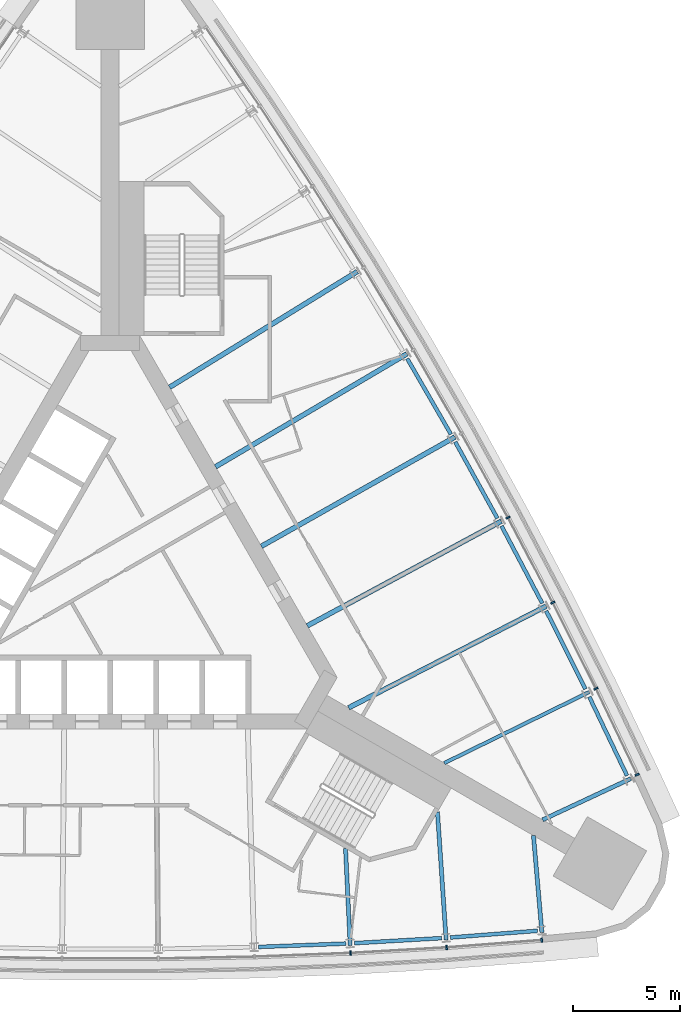
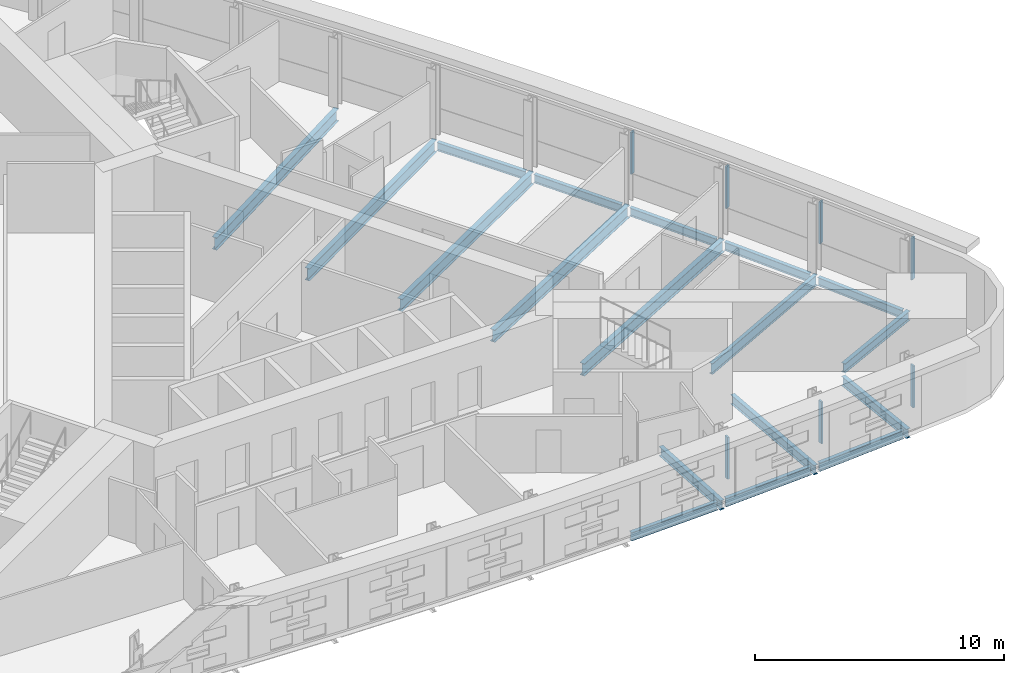
# One storey, part 5 of 14: 18 beams, 7 members, 2 elements without a shape of their own.
"""IFC4 building model written with IfcOpenShell, lengths in metres."""

from ifc_helpers import new_model, si_unit, direction, frame, origin, origin_2d, place, context, subcontext, project, spatial, rectangle, i_section, extrude, material, material_profile, profile_set, type_object, element, aggregate, save


model = new_model("IFC4")

# Units and contexts
model_context = context("Model", 3, precision=1e-05, world=origin(), true_north=direction((0.0, 1.0)))
body_context = subcontext(model_context, "Body", "Model", "MODEL_VIEW")
ifc_project = project(units=[si_unit("LENGTHUNIT", "METRE"), si_unit("AREAUNIT", "SQUARE_METRE"), si_unit("VOLUMEUNIT", "CUBIC_METRE"), si_unit("PLANEANGLEUNIT", "RADIAN"), si_unit("MASSUNIT", "GRAM", prefix="KILO")], contexts=[model_context])

# Site, building, storey
site_placement = place(None, origin())
site = spatial("IfcSite", under=ifc_project, at=site_placement, CompositionType="ELEMENT")
building_placement = place(site_placement, origin())
building = spatial("IfcBuilding", under=site, at=building_placement, Name="Noor Cloister Tower", CompositionType="ELEMENT")
storey_placement = place(building_placement, frame((0.0, 0.0, 76.199951171875)))
storey = spatial("IfcBuildingStorey", under=building, at=storey_placement, Name="L19", CompositionType="ELEMENT", Elevation=76.199951171875)

# Curtain wall, members
ifc_material_1 = material(Name="Aluminium 6063-T6 anodised", Category="aluminium")
curtain_wall_type = type_object("IfcCurtainWallType", Name="Ribbon curtain wall, lower tower CW1", PredefinedType="NOTDEFINED", material=ifc_material_1)
curtain_wall_1_placement = place(storey_placement, origin())
curtain_wall_1 = element("IfcCurtainWall", 1, at=curtain_wall_1_placement, inside=storey, type_object=curtain_wall_type, Name="CW1 L19 S run 2", PredefinedType="NOTDEFINED")
ifc_material_2 = material(Name="Aluminium 6063-T6 anodised", Category="aluminium")
ifc_material_profile_1 = material_profile(ifc_material_2, rectangle(XDim=0.199951171875, YDim=0.080078125, at=origin_2d()), Name="200 x 80 mullion")
ifc_profile_set_1 = profile_set([ifc_material_profile_1], Name="Aluminium 6063-T6 anodised")
member_type = type_object("IfcMemberType", Name="Mullion CW1 80 x 200", PredefinedType="MULLION", material=ifc_profile_set_1)
member_1_placement = place(storey_placement, frame((11.24072265625, -17.407958984375, 1.10009765625), z_axis=(0.0, 0.0, 1.0), x_axis=(-0.048212063221, 0.998837122338, 0.0)))
member_1 = element("IfcMember", 2, at=member_1_placement, type_object=member_type, Name="CW1 mullion 8", PredefinedType="MULLION", context=body_context, shape_type="SweptSolid", body=[
    extrude(rectangle(XDim=0.199951171875, YDim=0.080078125, at=origin_2d()), origin(), (0.0, 0.0, 1.0), 2.050048828125),
])
member_2_placement = place(storey_placement, frame((15.731201171875, -17.14794921875, 1.10009765625), z_axis=(0.0, 0.0, 1.0), x_axis=(-0.067471755101, 0.997721184632, 0.0)))
member_2 = element("IfcMember", 3, at=member_2_placement, type_object=member_type, Name="CW1 mullion 9", PredefinedType="MULLION", context=body_context, shape_type="SweptSolid", body=[
    extrude(rectangle(XDim=0.199951171875, YDim=0.080078125, at=origin_2d()), origin(), (0.0, 0.0, 1.0), 2.050048828125),
])
member_3_placement = place(storey_placement, frame((20.177001953125, -16.80419921875, 1.10009765625), z_axis=(0.0, 0.0, 1.0), x_axis=(-0.077092640523, 0.997023933904, 0.0)))
member_3 = element("IfcMember", 4, at=member_3_placement, type_object=member_type, Name="CW1 mullion 10", PredefinedType="MULLION", context=body_context, shape_type="SweptSolid", body=[
    extrude(rectangle(XDim=0.199951171875, YDim=0.080078125, at=origin_2d()), origin(), (0.0, 0.0, 1.0), 2.050048828125),
])
aggregate(curtain_wall_1, [member_1, member_2, member_3])

curtain_wall_2_placement = place(storey_placement, origin())
curtain_wall_2 = element("IfcCurtainWall", 5, at=curtain_wall_2_placement, inside=storey, type_object=curtain_wall_type, Name="CW1 L19 NE run 3", PredefinedType="NOTDEFINED")
member_4_placement = place(storey_placement, frame((24.641357421875, -9.07177734375, 1.10009765625), z_axis=(0.0, 0.0, 1.0), x_axis=(-0.901994375203, -0.431747781814, 0.0)))
member_4 = element("IfcMember", 6, at=member_4_placement, type_object=member_type, Name="CW1 mullion 1", PredefinedType="MULLION", context=body_context, shape_type="SweptSolid", body=[
    extrude(rectangle(XDim=0.199951171875, YDim=0.080078125, at=origin_2d()), origin(), (0.0, 0.0, 1.0), 2.050048828125),
])
member_5_placement = place(storey_placement, frame((22.716064453125, -5.0498046875, 1.10009765625), z_axis=(0.0, 0.0, 1.0), x_axis=(-0.897787769336, -0.440428338361, 0.0)))
member_5 = element("IfcMember", 7, at=member_5_placement, type_object=member_type, Name="CW1 mullion 2", PredefinedType="MULLION", context=body_context, shape_type="SweptSolid", body=[
    extrude(rectangle(XDim=0.199951171875, YDim=0.080078125, at=origin_2d()), origin(), (0.0, 0.0, 1.0), 2.050048828125),
])
member_6_placement = place(storey_placement, frame((20.6962890625, -1.03076171875, 1.10009765625), z_axis=(0.0, 0.0, 1.0), x_axis=(-0.889124353798, -0.45766568965, 0.0)))
member_6 = element("IfcMember", 8, at=member_6_placement, type_object=member_type, Name="CW1 mullion 3", PredefinedType="MULLION", context=body_context, shape_type="SweptSolid", body=[
    extrude(rectangle(XDim=0.199951171875, YDim=0.080078125, at=origin_2d()), origin(), (0.0, 0.0, 1.0), 2.050048828125),
])
member_7_placement = place(storey_placement, frame((18.59912109375, 2.948486328125, 1.10009765625), z_axis=(0.0, 0.0, 1.0), x_axis=(-0.880130014741, -0.474732721805, 0.0)))
member_7 = element("IfcMember", 9, at=member_7_placement, type_object=member_type, Name="CW1 mullion 4", PredefinedType="MULLION", context=body_context, shape_type="SweptSolid", body=[
    extrude(rectangle(XDim=0.199951171875, YDim=0.080078125, at=origin_2d()), origin(), (0.0, 0.0, 1.0), 2.050048828125),
])
aggregate(curtain_wall_2, [member_4, member_5, member_6, member_7])

# Beams
ifc_material_3 = material(Name="Steel ASTM A992 Gr 50", Category="steel")
ifc_material_profile_2 = material_profile(ifc_material_3, i_section(OverallWidth=0.19091796875, OverallDepth=0.45703125, WebThickness=0.009033203125, FlangeThickness=0.014404296875, FilletRadius=0.01025390625, at=origin_2d()), Name="W460x74")
ifc_profile_set_2 = profile_set([ifc_material_profile_2], Name="Steel ASTM A992 Gr 50")
beam_type_1 = type_object("IfcBeamType", Name="Radial beam W460x74", PredefinedType="BEAM", material=ifc_profile_set_2)
beam_1_placement = place(storey_placement, frame((11.223876953125, -17.055419921875, -0.428466796875), z_axis=(-0.048225987002, 0.998836450165, 0.0), x_axis=(-0.998836450165, -0.048225987002, 0.0)))
element("IfcBeam", 10, at=beam_1_placement, inside=storey, type_object=beam_type_1, Name="Radial beam S 08 L19", PredefinedType="BEAM", context=body_context, shape_type="SweptSolid", body=[
    extrude(i_section(OverallWidth=0.19091796875, OverallDepth=0.45703125, WebThickness=0.009033203125, FlangeThickness=0.014404296875, FilletRadius=0.01025390625, at=origin_2d()), origin(), (0.0, 0.0, 1.0), 4.546142578125),
])
beam_2_placement = place(storey_placement, frame((15.70751953125, -16.795654296875, -0.428466796875), z_axis=(-0.067491020736, 0.99771988159, 0.0), x_axis=(-0.99771988159, -0.067491020736, 0.0)))
element("IfcBeam", 11, at=beam_2_placement, inside=storey, type_object=beam_type_1, Name="Radial beam S 09 L19", PredefinedType="BEAM", context=body_context, shape_type="SweptSolid", body=[
    extrude(i_section(OverallWidth=0.19091796875, OverallDepth=0.45703125, WebThickness=0.009033203125, FlangeThickness=0.014404296875, FilletRadius=0.01025390625, at=origin_2d()), origin(), (0.0, 0.0, 1.0), 6.001220703125),
])
for number, where, z_axis, x_axis, name in (
    (12, (20.185302734375, -16.449462890625, -0.428466796875), (-0.08671760944, 0.996232932709, 0.0), (-0.996232932709, -0.08671760944, 0.0), "Radial beam S 10 L19"),
    (13, (24.33837890625, -9.25634765625, -0.428466796875), (-0.906124182133, -0.423011780632, 0.0), (0.423011780632, -0.906124182133, 0.0), "Radial beam NE 01 L19"),
):
    element("IfcBeam", number, at=place(storey_placement, frame(where, z_axis=z_axis, x_axis=x_axis)), inside=storey, type_object=beam_type_1, Name=name, PredefinedType="BEAM", context=body_context, shape_type="SweptSolid", body=[
        extrude(i_section(OverallWidth=0.19091796875, OverallDepth=0.45703125, WebThickness=0.009033203125, FlangeThickness=0.014404296875, FilletRadius=0.01025390625, at=origin_2d()), origin(), (0.0, 0.0, 1.0), 4.549560546875),
    ])
ifc_material_4 = material(Name="Steel ASTM A992 Gr 50", Category="steel")
ifc_material_profile_3 = material_profile(ifc_material_4, i_section(OverallWidth=0.166015625, OverallDepth=0.528076171875, WebThickness=0.009765625, FlangeThickness=0.013671875, FilletRadius=0.0126953125, at=origin_2d()), Name="W530x74")
ifc_profile_set_3 = profile_set([ifc_material_profile_3], Name="Steel ASTM A992 Gr 50")
beam_type_2 = type_object("IfcBeamType", Name="Radial beam W530x74", PredefinedType="BEAM", material=ifc_profile_set_3)
beam_3_placement = place(storey_placement, frame((22.399169921875, -5.205322265625, -0.4638671875), z_axis=(-0.897791582148, -0.440420566078, 0.0), x_axis=(0.440420566078, -0.897791582148, 0.0)))
element("IfcBeam", 14, at=beam_3_placement, inside=storey, type_object=beam_type_2, Name="Radial beam NE 02 L19", PredefinedType="BEAM", context=body_context, shape_type="SweptSolid", body=[
    extrude(i_section(OverallWidth=0.166015625, OverallDepth=0.528076171875, WebThickness=0.009765625, FlangeThickness=0.013671875, FilletRadius=0.0126953125, at=origin_2d()), origin(), (0.0, 0.0, 1.0), 7.54736328125),
])
ifc_material_5 = material(Name="Steel ASTM A992 Gr 50", Category="steel")
ifc_material_profile_4 = material_profile(ifc_material_5, i_section(OverallWidth=0.22802734375, OverallDepth=0.60205078125, WebThickness=0.010498046875, FlangeThickness=0.014892578125, FilletRadius=0.0126953125, at=origin_2d()), Name="W610x101")
ifc_profile_set_4 = profile_set([ifc_material_profile_4], Name="Steel ASTM A992 Gr 50")
beam_type_3 = type_object("IfcBeamType", Name="Radial beam W610x101", PredefinedType="BEAM", material=ifc_profile_set_4)
beam_4_placement = place(storey_placement, frame((20.38232421875, -1.1923828125, -0.5009765625), z_axis=(-0.889123572031, -0.457667208415, 0.0), x_axis=(0.457667208415, -0.889123572031, 0.0)))
element("IfcBeam", 15, at=beam_4_placement, inside=storey, type_object=beam_type_3, Name="Radial beam NE 03 L19", PredefinedType="BEAM", context=body_context, shape_type="SweptSolid", body=[
    extrude(i_section(OverallWidth=0.22802734375, OverallDepth=0.60205078125, WebThickness=0.010498046875, FlangeThickness=0.014892578125, FilletRadius=0.0126953125, at=origin_2d()), origin(), (0.0, 0.0, 1.0), 10.3857421875),
])
beam_5_placement = place(storey_placement, frame((18.28857421875, 2.78076171875, -0.5009765625), z_axis=(-0.880137671606, -0.474718526097, 0.0), x_axis=(0.474718526097, -0.880137671606, 0.0)))
element("IfcBeam", 16, at=beam_5_placement, inside=storey, type_object=beam_type_3, Name="Radial beam NE 04 L19", PredefinedType="BEAM", context=body_context, shape_type="SweptSolid", body=[
    extrude(i_section(OverallWidth=0.22802734375, OverallDepth=0.60205078125, WebThickness=0.010498046875, FlangeThickness=0.014892578125, FilletRadius=0.0126953125, at=origin_2d()), origin(), (0.0, 0.0, 1.0), 10.3046875),
])
beam_6_placement = place(storey_placement, frame((16.118408203125, 6.712890625, -0.5009765625), z_axis=(-0.870813111401, -0.491614203427, 0.0), x_axis=(0.491614203427, -0.870813111401, 0.0)))
element("IfcBeam", 17, at=beam_6_placement, inside=storey, type_object=beam_type_3, Name="Radial beam NE 05 L19", PredefinedType="BEAM", context=body_context, shape_type="SweptSolid", body=[
    extrude(i_section(OverallWidth=0.22802734375, OverallDepth=0.60205078125, WebThickness=0.010498046875, FlangeThickness=0.014892578125, FilletRadius=0.0126953125, at=origin_2d()), origin(), (0.0, 0.0, 1.0), 10.3876953125),
])
beam_7_placement = place(storey_placement, frame((13.872802734375, 10.6025390625, -0.5009765625), z_axis=(-0.861158045586, -0.508337309789, 0.0), x_axis=(0.508337309789, -0.861158045586, 0.0)))
element("IfcBeam", 18, at=beam_7_placement, inside=storey, type_object=beam_type_3, Name="Radial beam NE 06 L19", PredefinedType="BEAM", context=body_context, shape_type="SweptSolid", body=[
    extrude(i_section(OverallWidth=0.22802734375, OverallDepth=0.60205078125, WebThickness=0.010498046875, FlangeThickness=0.014892578125, FilletRadius=0.0126953125, at=origin_2d()), origin(), (0.0, 0.0, 1.0), 10.387939453125),
])
beam_8_placement = place(storey_placement, frame((11.552490234375, 14.44775390625, -0.5009765625), z_axis=(-0.851198388975, -0.524844074565, 0.0), x_axis=(0.524844074565, -0.851198388975, 0.0)))
element("IfcBeam", 19, at=beam_8_placement, inside=storey, type_object=beam_type_3, Name="Radial beam NE 07 L19", PredefinedType="BEAM", context=body_context, shape_type="SweptSolid", body=[
    extrude(i_section(OverallWidth=0.22802734375, OverallDepth=0.60205078125, WebThickness=0.010498046875, FlangeThickness=0.014892578125, FilletRadius=0.0126953125, at=origin_2d()), origin(), (0.0, 0.0, 1.0), 10.304931640625),
])
ifc_material_6 = material(Name="Steel ASTM A992 Gr 50", Category="steel")
ifc_material_profile_5 = material_profile(ifc_material_6, i_section(OverallWidth=0.177978515625, OverallDepth=0.406005859375, WebThickness=0.0078125, FlangeThickness=0.0126953125, FilletRadius=0.01025390625, at=origin_2d()), Name="W410x60")
ifc_profile_set_5 = profile_set([ifc_material_profile_5], Name="Steel ASTM A992 Gr 50")
beam_type_4 = type_object("IfcBeamType", Name="Spandrel beam W410x60", PredefinedType="SPANDREL", material=ifc_profile_set_5)
for number, where, z_axis, x_axis, name in (
    (20, (6.93505859375, -17.1240234375, -0.40283203125), (0.999254539372, 0.038605252822, 0.0), (-0.038605252822, 0.999254539372, 0.0), "Spandrel beam S 07 L19"),
    (21, (11.4208984375, -16.94677734375, -0.40283203125), (0.998328754654, 0.057790117076, 0.0), (-0.057790117076, 0.998328754654, 0.0), "Spandrel beam S 08 L19"),
):
    element("IfcBeam", number, at=place(storey_placement, frame(where, z_axis=z_axis, x_axis=x_axis)), inside=storey, type_object=beam_type_4, Name=name, PredefinedType="SPANDREL", context=body_context, shape_type="SweptSolid", body=[
        extrude(i_section(OverallWidth=0.177978515625, OverallDepth=0.406005859375, WebThickness=0.0078125, FlangeThickness=0.0126953125, FilletRadius=0.01025390625, at=origin_2d()), origin(), (0.0, 0.0, 1.0), 4.085205078125),
    ])
beam_9_placement = place(storey_placement, frame((15.90234375, -16.683349609375, -0.40283203125), z_axis=(0.997024176871, 0.077089498212, 0.0), x_axis=(-0.077089498212, 0.997024176871, 0.0)))
element("IfcBeam", 22, at=beam_9_placement, inside=storey, type_object=beam_type_4, Name="Spandrel beam S 09 L19", PredefinedType="SPANDREL", context=body_context, shape_type="SweptSolid", body=[
    extrude(i_section(OverallWidth=0.177978515625, OverallDepth=0.406005859375, WebThickness=0.0078125, FlangeThickness=0.0126953125, FilletRadius=0.01025390625, at=origin_2d()), origin(), (0.0, 0.0, 1.0), 4.08544921875),
])
for number, where, z_axis, x_axis, name in (
    (23, (24.1630859375, -9.114990234375, -0.40283203125), (-0.431728272915, 0.902003713055, 0.0), (-0.902003713055, -0.431728272915, 0.0), "Spandrel beam NE 01 L19"),
    (24, (22.221435546875, -5.0673828125, -0.40283203125), (-0.449101034205, 0.893480979694, 0.0), (-0.893480979694, -0.449101034205, 0.0), "Spandrel beam NE 02 L19"),
):
    element("IfcBeam", number, at=place(storey_placement, frame(where, z_axis=z_axis, x_axis=x_axis)), inside=storey, type_object=beam_type_4, Name=name, PredefinedType="SPANDREL", context=body_context, shape_type="SweptSolid", body=[
        extrude(i_section(OverallWidth=0.177978515625, OverallDepth=0.406005859375, WebThickness=0.0078125, FlangeThickness=0.0126953125, FilletRadius=0.01025390625, at=origin_2d()), origin(), (0.0, 0.0, 1.0), 4.085205078125),
    ])
beam_10_placement = place(storey_placement, frame((20.201904296875, -1.05810546875, -0.40283203125), z_axis=(-0.466187250384, 0.884686072898, 0.0), x_axis=(-0.884686072898, -0.466187250384, 0.0)))
element("IfcBeam", 25, at=beam_10_placement, inside=storey, type_object=beam_type_4, Name="Spandrel beam NE 03 L19", PredefinedType="SPANDREL", context=body_context, shape_type="SweptSolid", body=[
    extrude(i_section(OverallWidth=0.177978515625, OverallDepth=0.406005859375, WebThickness=0.0078125, FlangeThickness=0.0126953125, FilletRadius=0.01025390625, at=origin_2d()), origin(), (0.0, 0.0, 1.0), 4.08544921875),
])
beam_11_placement = place(storey_placement, frame((18.10546875, 2.91162109375, -0.40283203125), z_axis=(-0.483180030896, 0.875521020732, 0.0), x_axis=(-0.875521020732, -0.483180030896, 0.0)))
element("IfcBeam", 26, at=beam_11_placement, inside=storey, type_object=beam_type_4, Name="Spandrel beam NE 04 L19", PredefinedType="SPANDREL", context=body_context, shape_type="SweptSolid", body=[
    extrude(i_section(OverallWidth=0.177978515625, OverallDepth=0.406005859375, WebThickness=0.0078125, FlangeThickness=0.0126953125, FilletRadius=0.01025390625, at=origin_2d()), origin(), (0.0, 0.0, 1.0), 4.085205078125),
])
beam_12_placement = place(storey_placement, frame((15.932861328125, 6.840087890625, -0.40283203125), z_axis=(-0.500001788232, 0.866024371346, 0.0), x_axis=(-0.866024371346, -0.500001788232, 0.0)))
element("IfcBeam", 27, at=beam_12_placement, inside=storey, type_object=beam_type_4, Name="Spandrel beam NE 05 L19", PredefinedType="SPANDREL", context=body_context, shape_type="SweptSolid", body=[
    extrude(i_section(OverallWidth=0.177978515625, OverallDepth=0.406005859375, WebThickness=0.0078125, FlangeThickness=0.0126953125, FilletRadius=0.01025390625, at=origin_2d()), origin(), (0.0, 0.0, 1.0), 4.08544921875),
])

save(model, "model.ifc")
